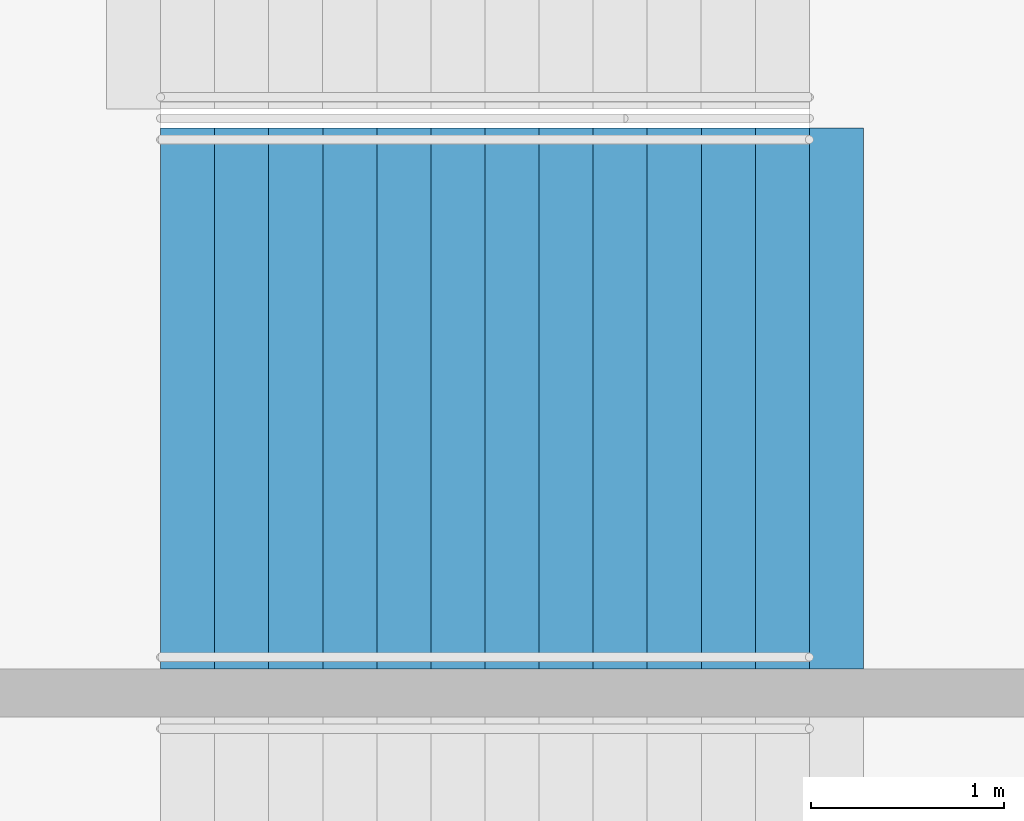
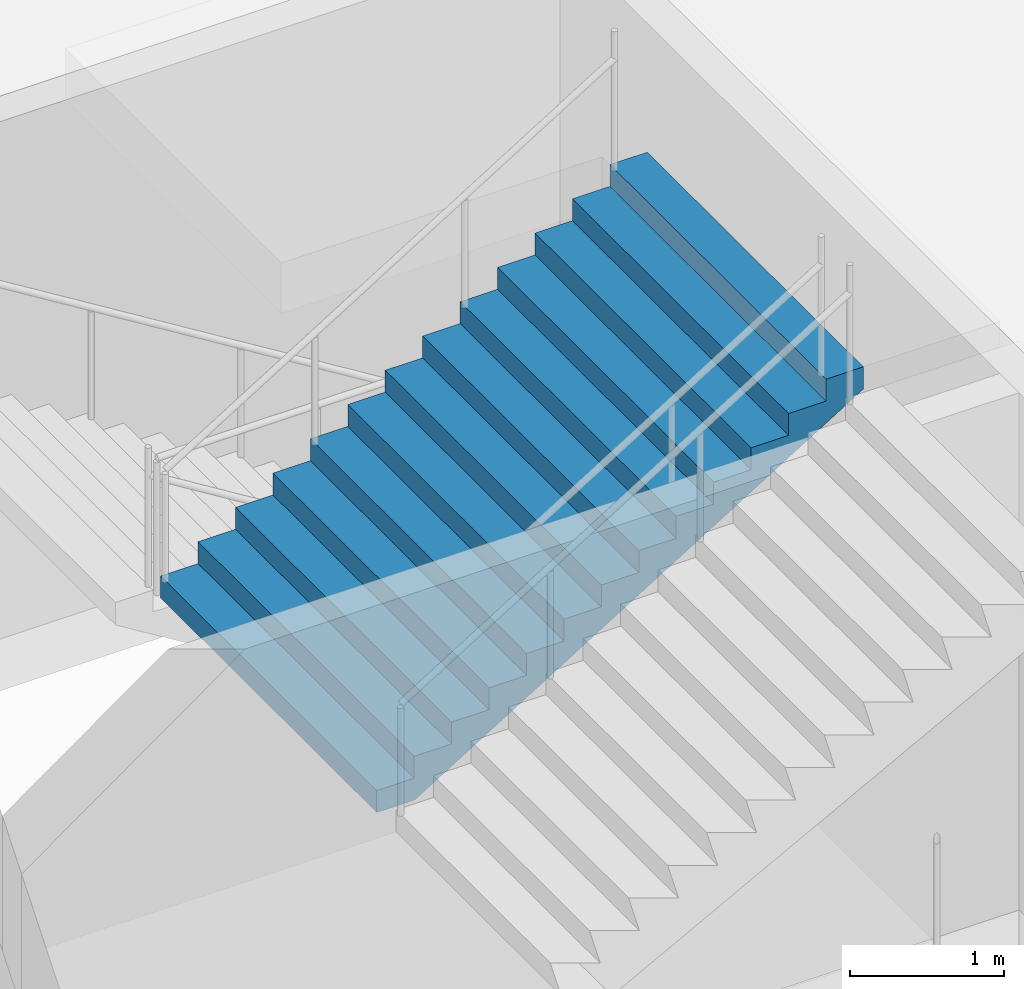
# One storey, part 133 of 199: 1 stair flight, 1 element without a shape of its own.
"""IFC4 building model written with IfcOpenShell, lengths in metres."""

from ifc_helpers import new_model, si_unit, direction, frame, origin, place, context, subcontext, project, spatial, faceted_brep, material, type_object, element, aggregate, save


model = new_model("IFC4")

# Units and contexts
model_context = context("Model", 3, precision=1e-05, world=origin(), true_north=direction((0.0, 1.0)))
body_context = subcontext(model_context, "Body", "Model", "MODEL_VIEW")
ifc_project = project(units=[si_unit("LENGTHUNIT", "METRE"), si_unit("AREAUNIT", "SQUARE_METRE"), si_unit("VOLUMEUNIT", "CUBIC_METRE"), si_unit("PLANEANGLEUNIT", "RADIAN"), si_unit("MASSUNIT", "GRAM", prefix="KILO")], contexts=[model_context])

# Site, building, storey
site_placement = place(None, origin())
site = spatial("IfcSite", under=ifc_project, at=site_placement, CompositionType="ELEMENT")
building_placement = place(site_placement, origin())
building = spatial("IfcBuilding", under=site, at=building_placement, Name="Ogive Plaza Stadium", CompositionType="ELEMENT")
storey_placement = place(building_placement, frame((0.0, 0.0, 9.0)))
storey = spatial("IfcBuildingStorey", under=building, at=storey_placement, Name="L02", CompositionType="ELEMENT", Elevation=9.0)

# Stair, stair flight
ifc_material_1 = material(Name="Concrete C40/50", Category="concrete")
stair_type = type_object("IfcStairType", Name="Exit stair", PredefinedType="STRAIGHT_RUN_STAIR", material=ifc_material_1)
stair_placement = place(storey_placement, origin())
stair = element("IfcStair", 1, at=stair_placement, inside=storey, type_object=stair_type, Name="Exit stair ST26A L02 to L03", PredefinedType="STRAIGHT_RUN_STAIR")
ifc_material_2 = material(Name="Concrete C40/50", Category="concrete")
stair_flight_type = type_object("IfcStairFlightType", Name="Exit stair flight", PredefinedType="STRAIGHT", material=ifc_material_2)
stair_flight_placement = place(storey_placement, frame((-79.7099609375, 24.02490234375, 2.25), z_axis=(0.0, 0.0, 1.0), x_axis=(1.0, 0.0, 0.0)))
stair_flight = element("IfcStairFlight", 2, at=stair_flight_placement, type_object=stair_flight_type, Name="ST26A flight 2", NumberOfRisers=13, NumberOfTreads=12, PredefinedType="STRAIGHT", RiserHeight=0.173076923, TreadLength=0.28, context=body_context, shape_type="Brep", body=[
    faceted_brep([(0.28515625, -1.39990234375, 0.0), (3.639892578125, -1.39990234375, 2.07373046875), (3.639892578125, -1.39990234375, 2.25), (3.360107421875, -1.39990234375, 2.25), (3.360107421875, -1.39990234375, 2.076904296875), (3.080078125, -1.39990234375, 2.076904296875), (3.080078125, -1.39990234375, 1.90380859375), (2.800048828125, -1.39990234375, 1.90380859375), (2.800048828125, -1.39990234375, 1.730712890625), (2.52001953125, -1.39990234375, 1.730712890625), (2.52001953125, -1.39990234375, 1.5576171875), (2.239990234375, -1.39990234375, 1.5576171875), (2.239990234375, -1.39990234375, 1.384521484375), (1.9599609375, -1.39990234375, 1.384521484375), (1.9599609375, -1.39990234375, 1.21142578125), (1.679931640625, -1.39990234375, 1.21142578125), (1.679931640625, -1.39990234375, 1.03857421875), (1.39990234375, -1.39990234375, 1.03857421875), (1.39990234375, -1.39990234375, 0.865478515625), (1.1201171875, -1.39990234375, 0.865478515625), (1.1201171875, -1.39990234375, 0.6923828125), (0.840087890625, -1.39990234375, 0.6923828125), (0.840087890625, -1.39990234375, 0.519287109375), (0.56005859375, -1.39990234375, 0.519287109375), (0.56005859375, -1.39990234375, 0.34619140625), (0.280029296875, -1.39990234375, 0.34619140625), (0.280029296875, -1.39990234375, 0.173095703125), (0.0, -1.39990234375, 0.173095703125), (0.0, -1.39990234375, 0.0), (0.0, 1.39990234375, 0.0), (0.0, 1.39990234375, 0.173095703125), (0.280029296875, 1.39990234375, 0.173095703125), (0.280029296875, 1.39990234375, 0.34619140625), (0.56005859375, 1.39990234375, 0.34619140625), (0.56005859375, 1.39990234375, 0.519287109375), (0.840087890625, 1.39990234375, 0.519287109375), (0.840087890625, 1.39990234375, 0.6923828125), (1.1201171875, 1.39990234375, 0.6923828125), (1.1201171875, 1.39990234375, 0.865478515625), (1.39990234375, 1.39990234375, 0.865478515625), (1.39990234375, 1.39990234375, 1.03857421875), (1.679931640625, 1.39990234375, 1.03857421875), (1.679931640625, 1.39990234375, 1.21142578125), (1.9599609375, 1.39990234375, 1.21142578125), (1.9599609375, 1.39990234375, 1.384521484375), (2.239990234375, 1.39990234375, 1.384521484375), (2.239990234375, 1.39990234375, 1.5576171875), (2.52001953125, 1.39990234375, 1.5576171875), (2.52001953125, 1.39990234375, 1.730712890625), (2.800048828125, 1.39990234375, 1.730712890625), (2.800048828125, 1.39990234375, 1.90380859375), (3.080078125, 1.39990234375, 1.90380859375), (3.080078125, 1.39990234375, 2.076904296875), (3.360107421875, 1.39990234375, 2.076904296875), (3.360107421875, 1.39990234375, 2.25), (3.639892578125, 1.39990234375, 2.25), (3.639892578125, 1.39990234375, 2.07373046875), (0.28515625, 1.39990234375, 0.0), (0.28515625, -1.0888671875, 0.0), (3.639892578125, -1.0888671875, 2.07373046875), (0.28515625, -0.77783203125, 0.0), (3.639892578125, -0.77783203125, 2.07373046875), (0.28515625, -0.466796875, 0.0), (3.639892578125, -0.466796875, 2.07373046875), (0.28515625, -0.155517578125, 0.0), (3.639892578125, -0.155517578125, 2.07373046875), (0.28515625, 0.155517578125, 0.0), (3.639892578125, 0.155517578125, 2.07373046875), (0.28515625, 0.466796875, 0.0), (3.639892578125, 0.466796875, 2.07373046875), (0.28515625, 0.77783203125, 0.0), (3.639892578125, 0.77783203125, 2.07373046875), (0.28515625, 1.0888671875, 0.0), (3.639892578125, 1.0888671875, 2.07373046875), (3.639892578125, -1.0888671875, 2.25), (3.639892578125, -0.77783203125, 2.25), (3.639892578125, -0.466796875, 2.25), (3.639892578125, -0.155517578125, 2.25), (3.639892578125, 0.155517578125, 2.25), (3.639892578125, 0.466796875, 2.25), (3.639892578125, 0.77783203125, 2.25), (3.639892578125, 1.0888671875, 2.25), (3.360107421875, -1.0888671875, 2.25), (3.360107421875, -0.77783203125, 2.25), (3.360107421875, -0.466796875, 2.25), (3.360107421875, -0.155517578125, 2.25), (3.360107421875, 0.155517578125, 2.25), (3.360107421875, 0.466796875, 2.25), (3.360107421875, 0.77783203125, 2.25), (3.360107421875, 1.0888671875, 2.25), (3.360107421875, -1.0888671875, 2.076904296875), (3.360107421875, -0.77783203125, 2.076904296875), (3.360107421875, -0.466796875, 2.076904296875), (3.360107421875, -0.155517578125, 2.076904296875), (3.360107421875, 0.155517578125, 2.076904296875), (3.360107421875, 0.466796875, 2.076904296875), (3.360107421875, 0.77783203125, 2.076904296875), (3.360107421875, 1.0888671875, 2.076904296875), (3.080078125, -1.0888671875, 2.076904296875), (3.080078125, -0.77783203125, 2.076904296875), (3.080078125, -0.466796875, 2.076904296875), (3.080078125, -0.155517578125, 2.076904296875), (3.080078125, 0.155517578125, 2.076904296875), (3.080078125, 0.466796875, 2.076904296875), (3.080078125, 0.77783203125, 2.076904296875), (3.080078125, 1.0888671875, 2.076904296875), (3.080078125, -1.0888671875, 1.90380859375), (3.080078125, -0.77783203125, 1.90380859375), (3.080078125, -0.466796875, 1.90380859375), (3.080078125, -0.155517578125, 1.90380859375), (3.080078125, 0.155517578125, 1.90380859375), (3.080078125, 0.466796875, 1.90380859375), (3.080078125, 0.77783203125, 1.90380859375), (3.080078125, 1.0888671875, 1.90380859375), (2.800048828125, -1.0888671875, 1.90380859375), (2.800048828125, -0.77783203125, 1.90380859375), (2.800048828125, -0.466796875, 1.90380859375), (2.800048828125, -0.155517578125, 1.90380859375), (2.800048828125, 0.155517578125, 1.90380859375), (2.800048828125, 0.466796875, 1.90380859375), (2.800048828125, 0.77783203125, 1.90380859375), (2.800048828125, 1.0888671875, 1.90380859375), (2.800048828125, -1.0888671875, 1.730712890625), (2.800048828125, -0.77783203125, 1.730712890625), (2.800048828125, -0.466796875, 1.730712890625), (2.800048828125, -0.155517578125, 1.730712890625), (2.800048828125, 0.155517578125, 1.730712890625), (2.800048828125, 0.466796875, 1.730712890625), (2.800048828125, 0.77783203125, 1.730712890625), (2.800048828125, 1.0888671875, 1.730712890625), (2.52001953125, -1.0888671875, 1.730712890625), (2.52001953125, -0.77783203125, 1.730712890625), (2.52001953125, -0.466796875, 1.730712890625), (2.52001953125, -0.155517578125, 1.730712890625), (2.52001953125, 0.155517578125, 1.730712890625), (2.52001953125, 0.466796875, 1.730712890625), (2.52001953125, 0.77783203125, 1.730712890625), (2.52001953125, 1.0888671875, 1.730712890625), (2.52001953125, -1.0888671875, 1.5576171875), (2.52001953125, -0.77783203125, 1.5576171875), (2.52001953125, -0.466796875, 1.5576171875), (2.52001953125, -0.155517578125, 1.5576171875), (2.52001953125, 0.155517578125, 1.5576171875), (2.52001953125, 0.466796875, 1.5576171875), (2.52001953125, 0.77783203125, 1.5576171875), (2.52001953125, 1.0888671875, 1.5576171875), (2.239990234375, -1.0888671875, 1.5576171875), (2.239990234375, -0.77783203125, 1.5576171875), (2.239990234375, -0.466796875, 1.5576171875), (2.239990234375, -0.155517578125, 1.5576171875), (2.239990234375, 0.155517578125, 1.5576171875), (2.239990234375, 0.466796875, 1.5576171875), (2.239990234375, 0.77783203125, 1.5576171875), (2.239990234375, 1.0888671875, 1.5576171875), (2.239990234375, -1.0888671875, 1.384521484375), (2.239990234375, -0.77783203125, 1.384521484375), (2.239990234375, -0.466796875, 1.384521484375), (2.239990234375, -0.155517578125, 1.384521484375), (2.239990234375, 0.155517578125, 1.384521484375), (2.239990234375, 0.466796875, 1.384521484375), (2.239990234375, 0.77783203125, 1.384521484375), (2.239990234375, 1.0888671875, 1.384521484375), (1.9599609375, -1.0888671875, 1.384521484375), (1.9599609375, -0.77783203125, 1.384521484375), (1.9599609375, -0.466796875, 1.384521484375), (1.9599609375, -0.155517578125, 1.384521484375), (1.9599609375, 0.155517578125, 1.384521484375), (1.9599609375, 0.466796875, 1.384521484375), (1.9599609375, 0.77783203125, 1.384521484375), (1.9599609375, 1.0888671875, 1.384521484375), (1.9599609375, -1.0888671875, 1.21142578125), (1.9599609375, -0.77783203125, 1.21142578125), (1.9599609375, -0.466796875, 1.21142578125), (1.9599609375, -0.155517578125, 1.21142578125), (1.9599609375, 0.155517578125, 1.21142578125), (1.9599609375, 0.466796875, 1.21142578125), (1.9599609375, 0.77783203125, 1.21142578125), (1.9599609375, 1.0888671875, 1.21142578125), (1.679931640625, -1.0888671875, 1.21142578125), (1.679931640625, -0.77783203125, 1.21142578125), (1.679931640625, -0.466796875, 1.21142578125), (1.679931640625, -0.155517578125, 1.21142578125), (1.679931640625, 0.155517578125, 1.21142578125), (1.679931640625, 0.466796875, 1.21142578125), (1.679931640625, 0.77783203125, 1.21142578125), (1.679931640625, 1.0888671875, 1.21142578125), (1.679931640625, -1.0888671875, 1.03857421875), (1.679931640625, -0.77783203125, 1.03857421875), (1.679931640625, -0.466796875, 1.03857421875), (1.679931640625, -0.155517578125, 1.03857421875), (1.679931640625, 0.155517578125, 1.03857421875), (1.679931640625, 0.466796875, 1.03857421875), (1.679931640625, 0.77783203125, 1.03857421875), (1.679931640625, 1.0888671875, 1.03857421875), (1.39990234375, -1.0888671875, 1.03857421875), (1.39990234375, -0.77783203125, 1.03857421875), (1.39990234375, -0.466796875, 1.03857421875), (1.39990234375, -0.155517578125, 1.03857421875), (1.39990234375, 0.155517578125, 1.03857421875), (1.39990234375, 0.466796875, 1.03857421875), (1.39990234375, 0.77783203125, 1.03857421875), (1.39990234375, 1.0888671875, 1.03857421875), (1.39990234375, -1.0888671875, 0.865478515625), (1.39990234375, -0.77783203125, 0.865478515625), (1.39990234375, -0.466796875, 0.865478515625), (1.39990234375, -0.155517578125, 0.865478515625), (1.39990234375, 0.155517578125, 0.865478515625), (1.39990234375, 0.466796875, 0.865478515625), (1.39990234375, 0.77783203125, 0.865478515625), (1.39990234375, 1.0888671875, 0.865478515625), (1.1201171875, -1.0888671875, 0.865478515625), (1.1201171875, -0.77783203125, 0.865478515625), (1.1201171875, -0.466796875, 0.865478515625), (1.1201171875, -0.155517578125, 0.865478515625), (1.1201171875, 0.155517578125, 0.865478515625), (1.1201171875, 0.466796875, 0.865478515625), (1.1201171875, 0.77783203125, 0.865478515625), (1.1201171875, 1.0888671875, 0.865478515625), (1.1201171875, -1.0888671875, 0.6923828125), (1.1201171875, -0.77783203125, 0.6923828125), (1.1201171875, -0.466796875, 0.6923828125), (1.1201171875, -0.155517578125, 0.6923828125), (1.1201171875, 0.155517578125, 0.6923828125), (1.1201171875, 0.466796875, 0.6923828125), (1.1201171875, 0.77783203125, 0.6923828125), (1.1201171875, 1.0888671875, 0.6923828125), (0.840087890625, -1.0888671875, 0.6923828125), (0.840087890625, -0.77783203125, 0.6923828125), (0.840087890625, -0.466796875, 0.6923828125), (0.840087890625, -0.155517578125, 0.6923828125), (0.840087890625, 0.155517578125, 0.6923828125), (0.840087890625, 0.466796875, 0.6923828125), (0.840087890625, 0.77783203125, 0.6923828125), (0.840087890625, 1.0888671875, 0.6923828125), (0.840087890625, -1.0888671875, 0.519287109375), (0.840087890625, -0.77783203125, 0.519287109375), (0.840087890625, -0.466796875, 0.519287109375), (0.840087890625, -0.155517578125, 0.519287109375), (0.840087890625, 0.155517578125, 0.519287109375), (0.840087890625, 0.466796875, 0.519287109375), (0.840087890625, 0.77783203125, 0.519287109375), (0.840087890625, 1.0888671875, 0.519287109375), (0.56005859375, -1.0888671875, 0.519287109375), (0.56005859375, -0.77783203125, 0.519287109375), (0.56005859375, -0.466796875, 0.519287109375), (0.56005859375, -0.155517578125, 0.519287109375), (0.56005859375, 0.155517578125, 0.519287109375), (0.56005859375, 0.466796875, 0.519287109375), (0.56005859375, 0.77783203125, 0.519287109375), (0.56005859375, 1.0888671875, 0.519287109375), (0.56005859375, -1.0888671875, 0.34619140625), (0.56005859375, -0.77783203125, 0.34619140625), (0.56005859375, -0.466796875, 0.34619140625), (0.56005859375, -0.155517578125, 0.34619140625), (0.56005859375, 0.155517578125, 0.34619140625), (0.56005859375, 0.466796875, 0.34619140625), (0.56005859375, 0.77783203125, 0.34619140625), (0.56005859375, 1.0888671875, 0.34619140625), (0.280029296875, -1.0888671875, 0.34619140625), (0.280029296875, -0.77783203125, 0.34619140625), (0.280029296875, -0.466796875, 0.34619140625), (0.280029296875, -0.155517578125, 0.34619140625), (0.280029296875, 0.155517578125, 0.34619140625), (0.280029296875, 0.466796875, 0.34619140625), (0.280029296875, 0.77783203125, 0.34619140625), (0.280029296875, 1.0888671875, 0.34619140625), (0.280029296875, -1.0888671875, 0.173095703125), (0.280029296875, -0.77783203125, 0.173095703125), (0.280029296875, -0.466796875, 0.173095703125), (0.280029296875, -0.155517578125, 0.173095703125), (0.280029296875, 0.155517578125, 0.173095703125), (0.280029296875, 0.466796875, 0.173095703125), (0.280029296875, 0.77783203125, 0.173095703125), (0.280029296875, 1.0888671875, 0.173095703125), (0.0, -1.0888671875, 0.173095703125), (0.0, -0.77783203125, 0.173095703125), (0.0, -0.466796875, 0.173095703125), (0.0, -0.155517578125, 0.173095703125), (0.0, 0.155517578125, 0.173095703125), (0.0, 0.466796875, 0.173095703125), (0.0, 0.77783203125, 0.173095703125), (0.0, 1.0888671875, 0.173095703125), (0.0, -1.0888671875, 0.0), (0.0, -0.77783203125, 0.0), (0.0, -0.466796875, 0.0), (0.0, -0.155517578125, 0.0), (0.0, 0.155517578125, 0.0), (0.0, 0.466796875, 0.0), (0.0, 0.77783203125, 0.0), (0.0, 1.0888671875, 0.0)], [[[0, 1, 2, 3, 4, 5, 6, 7, 8, 9, 10, 11, 12, 13, 14, 15, 16, 17, 18, 19, 20, 21, 22, 23, 24, 25, 26, 27, 28]], [[29, 30, 31, 32, 33, 34, 35, 36, 37, 38, 39, 40, 41, 42, 43, 44, 45, 46, 47, 48, 49, 50, 51, 52, 53, 54, 55, 56, 57]], [[0, 58, 59, 1]], [[58, 60, 61, 59]], [[60, 62, 63, 61]], [[62, 64, 65, 63]], [[64, 66, 67, 65]], [[66, 68, 69, 67]], [[68, 70, 71, 69]], [[70, 72, 73, 71]], [[72, 57, 56, 73]], [[1, 59, 74, 2]], [[59, 61, 75, 74]], [[61, 63, 76, 75]], [[63, 65, 77, 76]], [[65, 67, 78, 77]], [[67, 69, 79, 78]], [[69, 71, 80, 79]], [[71, 73, 81, 80]], [[73, 56, 55, 81]], [[2, 74, 82, 3]], [[74, 75, 83, 82]], [[75, 76, 84, 83]], [[76, 77, 85, 84]], [[77, 78, 86, 85]], [[78, 79, 87, 86]], [[79, 80, 88, 87]], [[80, 81, 89, 88]], [[81, 55, 54, 89]], [[3, 82, 90, 4]], [[82, 83, 91, 90]], [[83, 84, 92, 91]], [[84, 85, 93, 92]], [[85, 86, 94, 93]], [[86, 87, 95, 94]], [[87, 88, 96, 95]], [[88, 89, 97, 96]], [[89, 54, 53, 97]], [[4, 90, 98, 5]], [[90, 91, 99, 98]], [[91, 92, 100, 99]], [[92, 93, 101, 100]], [[93, 94, 102, 101]], [[94, 95, 103, 102]], [[95, 96, 104, 103]], [[96, 97, 105, 104]], [[97, 53, 52, 105]], [[5, 98, 106, 6]], [[98, 99, 107, 106]], [[99, 100, 108, 107]], [[100, 101, 109, 108]], [[101, 102, 110, 109]], [[102, 103, 111, 110]], [[103, 104, 112, 111]], [[104, 105, 113, 112]], [[105, 52, 51, 113]], [[6, 106, 114, 7]], [[106, 107, 115, 114]], [[107, 108, 116, 115]], [[108, 109, 117, 116]], [[109, 110, 118, 117]], [[110, 111, 119, 118]], [[111, 112, 120, 119]], [[112, 113, 121, 120]], [[113, 51, 50, 121]], [[7, 114, 122, 8]], [[114, 115, 123, 122]], [[115, 116, 124, 123]], [[116, 117, 125, 124]], [[117, 118, 126, 125]], [[118, 119, 127, 126]], [[119, 120, 128, 127]], [[120, 121, 129, 128]], [[121, 50, 49, 129]], [[8, 122, 130, 9]], [[122, 123, 131, 130]], [[123, 124, 132, 131]], [[124, 125, 133, 132]], [[125, 126, 134, 133]], [[126, 127, 135, 134]], [[127, 128, 136, 135]], [[128, 129, 137, 136]], [[129, 49, 48, 137]], [[9, 130, 138, 10]], [[130, 131, 139, 138]], [[131, 132, 140, 139]], [[132, 133, 141, 140]], [[133, 134, 142, 141]], [[134, 135, 143, 142]], [[135, 136, 144, 143]], [[136, 137, 145, 144]], [[137, 48, 47, 145]], [[10, 138, 146, 11]], [[138, 139, 147, 146]], [[139, 140, 148, 147]], [[140, 141, 149, 148]], [[141, 142, 150, 149]], [[142, 143, 151, 150]], [[143, 144, 152, 151]], [[144, 145, 153, 152]], [[145, 47, 46, 153]], [[11, 146, 154, 12]], [[146, 147, 155, 154]], [[147, 148, 156, 155]], [[148, 149, 157, 156]], [[149, 150, 158, 157]], [[150, 151, 159, 158]], [[151, 152, 160, 159]], [[152, 153, 161, 160]], [[153, 46, 45, 161]], [[12, 154, 162, 13]], [[154, 155, 163, 162]], [[155, 156, 164, 163]], [[156, 157, 165, 164]], [[157, 158, 166, 165]], [[158, 159, 167, 166]], [[159, 160, 168, 167]], [[160, 161, 169, 168]], [[161, 45, 44, 169]], [[13, 162, 170, 14]], [[162, 163, 171, 170]], [[163, 164, 172, 171]], [[164, 165, 173, 172]], [[165, 166, 174, 173]], [[166, 167, 175, 174]], [[167, 168, 176, 175]], [[168, 169, 177, 176]], [[169, 44, 43, 177]], [[14, 170, 178, 15]], [[170, 171, 179, 178]], [[171, 172, 180, 179]], [[172, 173, 181, 180]], [[173, 174, 182, 181]], [[174, 175, 183, 182]], [[175, 176, 184, 183]], [[176, 177, 185, 184]], [[177, 43, 42, 185]], [[15, 178, 186, 16]], [[178, 179, 187, 186]], [[179, 180, 188, 187]], [[180, 181, 189, 188]], [[181, 182, 190, 189]], [[182, 183, 191, 190]], [[183, 184, 192, 191]], [[184, 185, 193, 192]], [[185, 42, 41, 193]], [[16, 186, 194, 17]], [[186, 187, 195, 194]], [[187, 188, 196, 195]], [[188, 189, 197, 196]], [[189, 190, 198, 197]], [[190, 191, 199, 198]], [[191, 192, 200, 199]], [[192, 193, 201, 200]], [[193, 41, 40, 201]], [[17, 194, 202, 18]], [[194, 195, 203, 202]], [[195, 196, 204, 203]], [[196, 197, 205, 204]], [[197, 198, 206, 205]], [[198, 199, 207, 206]], [[199, 200, 208, 207]], [[200, 201, 209, 208]], [[201, 40, 39, 209]], [[18, 202, 210, 19]], [[202, 203, 211, 210]], [[203, 204, 212, 211]], [[204, 205, 213, 212]], [[205, 206, 214, 213]], [[206, 207, 215, 214]], [[207, 208, 216, 215]], [[208, 209, 217, 216]], [[209, 39, 38, 217]], [[19, 210, 218, 20]], [[210, 211, 219, 218]], [[211, 212, 220, 219]], [[212, 213, 221, 220]], [[213, 214, 222, 221]], [[214, 215, 223, 222]], [[215, 216, 224, 223]], [[216, 217, 225, 224]], [[217, 38, 37, 225]], [[20, 218, 226, 21]], [[218, 219, 227, 226]], [[219, 220, 228, 227]], [[220, 221, 229, 228]], [[221, 222, 230, 229]], [[222, 223, 231, 230]], [[223, 224, 232, 231]], [[224, 225, 233, 232]], [[225, 37, 36, 233]], [[21, 226, 234, 22]], [[226, 227, 235, 234]], [[227, 228, 236, 235]], [[228, 229, 237, 236]], [[229, 230, 238, 237]], [[230, 231, 239, 238]], [[231, 232, 240, 239]], [[232, 233, 241, 240]], [[233, 36, 35, 241]], [[22, 234, 242, 23]], [[234, 235, 243, 242]], [[235, 236, 244, 243]], [[236, 237, 245, 244]], [[237, 238, 246, 245]], [[238, 239, 247, 246]], [[239, 240, 248, 247]], [[240, 241, 249, 248]], [[241, 35, 34, 249]], [[23, 242, 250, 24]], [[242, 243, 251, 250]], [[243, 244, 252, 251]], [[244, 245, 253, 252]], [[245, 246, 254, 253]], [[246, 247, 255, 254]], [[247, 248, 256, 255]], [[248, 249, 257, 256]], [[249, 34, 33, 257]], [[24, 250, 258, 25]], [[250, 251, 259, 258]], [[251, 252, 260, 259]], [[252, 253, 261, 260]], [[253, 254, 262, 261]], [[254, 255, 263, 262]], [[255, 256, 264, 263]], [[256, 257, 265, 264]], [[257, 33, 32, 265]], [[25, 258, 266, 26]], [[258, 259, 267, 266]], [[259, 260, 268, 267]], [[260, 261, 269, 268]], [[261, 262, 270, 269]], [[262, 263, 271, 270]], [[263, 264, 272, 271]], [[264, 265, 273, 272]], [[265, 32, 31, 273]], [[26, 266, 274, 27]], [[266, 267, 275, 274]], [[267, 268, 276, 275]], [[268, 269, 277, 276]], [[269, 270, 278, 277]], [[270, 271, 279, 278]], [[271, 272, 280, 279]], [[272, 273, 281, 280]], [[273, 31, 30, 281]], [[27, 274, 282, 28]], [[274, 275, 283, 282]], [[275, 276, 284, 283]], [[276, 277, 285, 284]], [[277, 278, 286, 285]], [[278, 279, 287, 286]], [[279, 280, 288, 287]], [[280, 281, 289, 288]], [[281, 30, 29, 289]], [[28, 282, 58, 0]], [[282, 283, 60, 58]], [[283, 284, 62, 60]], [[284, 285, 64, 62]], [[285, 286, 66, 64]], [[286, 287, 68, 66]], [[287, 288, 70, 68]], [[288, 289, 72, 70]], [[289, 29, 57, 72]]]),
])
aggregate(stair, [stair_flight])

save(model, "model.ifc")
